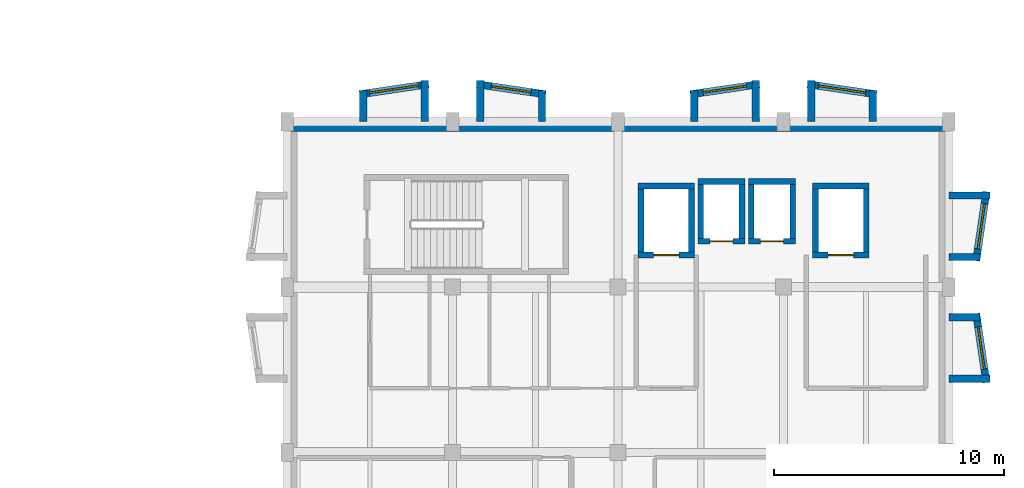
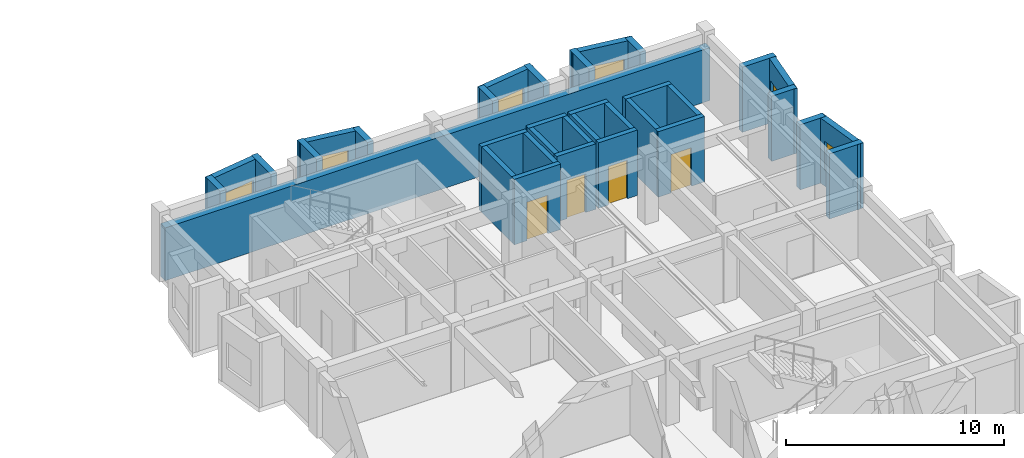
# One storey, part 15 of 20: 35 walls, 6 windows, 4 doors, 10 openings.
"""IFC4 building model written with IfcOpenShell, lengths in metres."""

from ifc_helpers import new_model, si_unit, direction, frame, frame_2d, origin, place, context, subcontext, project, spatial, rectangle, extrude, material, layer, layer_set, type_object, element, fill, save


model = new_model("IFC4")

# Units and contexts
model_context = context("Model", 3, precision=1e-05, world=origin(), true_north=direction((0.0, 1.0)))
body_context = subcontext(model_context, "Body", "Model", "MODEL_VIEW")
ifc_project = project(units=[si_unit("LENGTHUNIT", "METRE"), si_unit("AREAUNIT", "SQUARE_METRE"), si_unit("VOLUMEUNIT", "CUBIC_METRE"), si_unit("PLANEANGLEUNIT", "RADIAN"), si_unit("MASSUNIT", "GRAM", prefix="KILO")], contexts=[model_context])

# Site, building, storey
site_placement = place(None, origin())
site = spatial("IfcSite", under=ifc_project, at=site_placement, CompositionType="ELEMENT")
building_placement = place(site_placement, origin())
building = spatial("IfcBuilding", under=site, at=building_placement, Name="Bramveld Media Centre", CompositionType="ELEMENT")
storey_placement = place(building_placement, frame((0.0, 0.0, 18.0)))
storey = spatial("IfcBuildingStorey", under=building, at=storey_placement, Name="L04", CompositionType="ELEMENT", Elevation=18.0)

# Wall, opening, door
ifc_material_1 = material(Name="Concrete C40/50 stair & lift core wall", Category="concrete")
ifc_layer_1 = layer(ifc_material_1, 0.25)
ifc_layer_set_1 = layer_set([ifc_layer_1], Name="Concrete C40/50 stair & lift core wall")
wall_type_1 = type_object("IfcWallType", Name="CWALL-SHEAR-250", PredefinedType="SHEAR", material=ifc_layer_set_1)
wall_1_placement = place(storey_placement, frame((146.47509765625, 106.199951171875, 0.0), z_axis=(0.0, 0.0, 1.0), x_axis=(1.0, 0.0, 0.0)))
wall_1 = element("IfcWall", 1, at=wall_1_placement, inside=storey, type_object=wall_type_1, Name="FL-01 L04 lift shaft wall S", PredefinedType="SHEAR", context=body_context, shape_type="SweptSolid", body=[
    extrude(rectangle(XDim=2.449951171875, YDim=0.25, at=frame_2d((1.22509765625, 0.0))), origin(), (0.0, 0.0, 1.0), 3.659912109375),
])
opening_1_placement = place(wall_1_placement, frame((0.675048828125, 0.0, 0.0)))
opening_1 = element("IfcOpeningElement", 2, at=opening_1_placement, cuts=wall_1, Name="Opening LD-01-01-L04", PredefinedType="OPENING", context=body_context, shape_type="SweptSolid", body=[
    extrude(rectangle(XDim=1.10009765625, YDim=2.14990234375, at=frame_2d((0.550048828125, 1.074951171875))), frame((0.0, 0.136962890625, 0.0), z_axis=(0.0, -1.0, 0.0), x_axis=(1.0, 0.0, 0.0)), (0.0, 0.0, 1.0), 0.27392578125),
])
ifc_material_2 = material(Name="Brushed stainless steel automatic fire-rated sliding lift landing door", Category="steel")
door_type_1 = type_object("IfcDoorType", Name="LD-TYPE-01", OperationType="SLIDING_TO_LEFT", PredefinedType="DOOR", material=ifc_material_2)
door_1_placement = place(opening_1_placement, origin())
door_1 = element("IfcDoor", 3, at=door_1_placement, inside=storey, type_object=door_type_1, Name="FL-01 L04 sliding lift landing door", OperationType="SLIDING_TO_LEFT", OverallHeight=2.14990234375, OverallWidth=1.10009765625, PredefinedType="DOOR", context=body_context, shape_type="SweptSolid", body=[
    extrude(rectangle(XDim=1.10009765625, YDim=2.14990234375, at=frame_2d((0.550048828125, 1.074951171875))), frame((0.0, 0.02490234375, 0.0), z_axis=(0.0, -1.0, 0.0), x_axis=(1.0, 0.0, 0.0)), (0.0, 0.0, 1.0), 0.050048828125),
])
fill(opening_1, door_1)

# Walls
wall_2_placement = place(storey_placement, frame((148.925048828125, 109.199951171875, 0.0), z_axis=(0.0, 0.0, 1.0), x_axis=(-1.0, 0.0, 0.0)))
element("IfcWall", 4, at=wall_2_placement, inside=storey, type_object=wall_type_1, Name="FL-01 L04 lift shaft wall N", PredefinedType="SHEAR", context=body_context, shape_type="SweptSolid", body=[
    extrude(rectangle(XDim=2.449951171875, YDim=0.25, at=frame_2d((1.22509765625, 0.0))), origin(), (0.0, 0.0, 1.0), 3.659912109375),
])
for number, where, z_axis, x_axis, name in (
    (5, (146.60009765625, 109.199951171875, 0.0), (0.0, 0.0, 1.0), (0.0, -1.0, 0.0), "FL-01 L04 lift shaft wall W"),
    (6, (148.800048828125, 106.199951171875, 0.0), (0.0, 0.0, 1.0), (0.0, 1.0, 0.0), "FL-01 L04 lift shaft wall E"),
):
    element("IfcWall", number, at=place(storey_placement, frame(where, z_axis=z_axis, x_axis=x_axis)), inside=storey, type_object=wall_type_1, Name=name, PredefinedType="SHEAR", context=body_context, shape_type="SweptSolid", body=[
        extrude(rectangle(XDim=3.0, YDim=0.25, at=frame_2d((1.5, 0.0))), origin(), (0.0, 0.0, 1.0), 3.659912109375),
    ])

# Wall, opening, door
wall_3_placement = place(storey_placement, frame((154.074951171875, 106.199951171875, 0.0), z_axis=(0.0, 0.0, 1.0), x_axis=(1.0, 0.0, 0.0)))
wall_3 = element("IfcWall", 7, at=wall_3_placement, inside=storey, type_object=wall_type_1, Name="FL-02 L04 lift shaft wall S", PredefinedType="SHEAR", context=body_context, shape_type="SweptSolid", body=[
    extrude(rectangle(XDim=2.449951171875, YDim=0.25, at=frame_2d((1.22509765625, 0.0))), origin(), (0.0, 0.0, 1.0), 3.659912109375),
])
opening_2_placement = place(wall_3_placement, frame((0.675048828125, 0.0, 0.0)))
opening_2 = element("IfcOpeningElement", 8, at=opening_2_placement, cuts=wall_3, Name="Opening LD-01-02-L04", PredefinedType="OPENING", context=body_context, shape_type="SweptSolid", body=[
    extrude(rectangle(XDim=1.10009765625, YDim=2.14990234375, at=frame_2d((0.550048828125, 1.074951171875))), frame((0.0, 0.136962890625, 0.0), z_axis=(0.0, -1.0, 0.0), x_axis=(1.0, 0.0, 0.0)), (0.0, 0.0, 1.0), 0.27392578125),
])
door_2_placement = place(opening_2_placement, origin())
door_2 = element("IfcDoor", 9, at=door_2_placement, inside=storey, type_object=door_type_1, Name="FL-02 L04 sliding lift landing door", OperationType="SLIDING_TO_LEFT", OverallHeight=2.14990234375, OverallWidth=1.10009765625, PredefinedType="DOOR", context=body_context, shape_type="SweptSolid", body=[
    extrude(rectangle(XDim=1.10009765625, YDim=2.14990234375, at=frame_2d((0.550048828125, 1.074951171875))), frame((0.0, 0.02490234375, 0.0), z_axis=(0.0, -1.0, 0.0), x_axis=(1.0, 0.0, 0.0)), (0.0, 0.0, 1.0), 0.050048828125),
])
fill(opening_2, door_2)

# Walls
wall_4_placement = place(storey_placement, frame((156.52490234375, 109.199951171875, 0.0), z_axis=(0.0, 0.0, 1.0), x_axis=(-1.0, 0.0, 0.0)))
element("IfcWall", 10, at=wall_4_placement, inside=storey, type_object=wall_type_1, Name="FL-02 L04 lift shaft wall N", PredefinedType="SHEAR", context=body_context, shape_type="SweptSolid", body=[
    extrude(rectangle(XDim=2.449951171875, YDim=0.25, at=frame_2d((1.22509765625, 0.0))), origin(), (0.0, 0.0, 1.0), 3.659912109375),
])
for number, where, z_axis, x_axis, name in (
    (11, (154.199951171875, 109.199951171875, 0.0), (0.0, 0.0, 1.0), (0.0, -1.0, 0.0), "FL-02 L04 lift shaft wall W"),
    (12, (156.39990234375, 106.199951171875, 0.0), (0.0, 0.0, 1.0), (0.0, 1.0, 0.0), "FL-02 L04 lift shaft wall E"),
):
    element("IfcWall", number, at=place(storey_placement, frame(where, z_axis=z_axis, x_axis=x_axis)), inside=storey, type_object=wall_type_1, Name=name, PredefinedType="SHEAR", context=body_context, shape_type="SweptSolid", body=[
        extrude(rectangle(XDim=3.0, YDim=0.25, at=frame_2d((1.5, 0.0))), origin(), (0.0, 0.0, 1.0), 3.659912109375),
    ])

# Wall, opening, door
wall_5_placement = place(storey_placement, frame((149.074951171875, 106.800048828125, 0.0), z_axis=(0.0, 0.0, 1.0), x_axis=(1.0, 0.0, 0.0)))
wall_5 = element("IfcWall", 13, at=wall_5_placement, inside=storey, type_object=wall_type_1, Name="PL-01 L04 lift shaft wall S", PredefinedType="SHEAR", context=body_context, shape_type="SweptSolid", body=[
    extrude(rectangle(XDim=2.050048828125, YDim=0.25, at=frame_2d((1.02490234375, 0.0))), origin(), (0.0, 0.0, 1.0), 3.659912109375),
])
opening_3_placement = place(wall_5_placement, frame((0.52490234375, 0.0, 0.0)))
opening_3 = element("IfcOpeningElement", 14, at=opening_3_placement, cuts=wall_5, Name="Opening LD-02-01-L04", PredefinedType="OPENING", context=body_context, shape_type="SweptSolid", body=[
    extrude(rectangle(XDim=1.0, YDim=2.14990234375, at=frame_2d((0.5, 1.074951171875))), frame((0.0, 0.136962890625, 0.0), z_axis=(0.0, -1.0, 0.0), x_axis=(1.0, 0.0, 0.0)), (0.0, 0.0, 1.0), 0.27392578125),
])
ifc_material_3 = material(Name="Brushed stainless steel automatic fire-rated sliding lift landing door", Category="steel")
door_type_2 = type_object("IfcDoorType", Name="LD-TYPE-02", OperationType="SLIDING_TO_LEFT", PredefinedType="DOOR", material=ifc_material_3)
door_3_placement = place(opening_3_placement, origin())
door_3 = element("IfcDoor", 15, at=door_3_placement, inside=storey, type_object=door_type_2, Name="PL-01 L04 sliding lift landing door", OperationType="SLIDING_TO_LEFT", OverallHeight=2.14990234375, OverallWidth=1.0, PredefinedType="DOOR", context=body_context, shape_type="SweptSolid", body=[
    extrude(rectangle(XDim=1.0, YDim=2.14990234375, at=frame_2d((0.5, 1.074951171875))), frame((0.0, 0.02490234375, 0.0), z_axis=(0.0, -1.0, 0.0), x_axis=(1.0, 0.0, 0.0)), (0.0, 0.0, 1.0), 0.050048828125),
])
fill(opening_3, door_3)

# Walls
wall_6_placement = place(storey_placement, frame((151.125, 109.39990234375, 0.0), z_axis=(0.0, 0.0, 1.0), x_axis=(-1.0, 0.0, 0.0)))
element("IfcWall", 16, at=wall_6_placement, inside=storey, type_object=wall_type_1, Name="PL-01 L04 lift shaft wall N", PredefinedType="SHEAR", context=body_context, shape_type="SweptSolid", body=[
    extrude(rectangle(XDim=2.050048828125, YDim=0.25, at=frame_2d((1.02490234375, 0.0))), origin(), (0.0, 0.0, 1.0), 3.659912109375),
])
for number, where, z_axis, x_axis, name in (
    (17, (149.199951171875, 109.39990234375, 0.0), (0.0, 0.0, 1.0), (0.0, -1.0, 0.0), "PL-01 L04 lift shaft wall W"),
    (18, (151.0, 106.800048828125, 0.0), (0.0, 0.0, 1.0), (0.0, 1.0, 0.0), "PL-01 L04 lift shaft wall E"),
):
    element("IfcWall", number, at=place(storey_placement, frame(where, z_axis=z_axis, x_axis=x_axis)), inside=storey, type_object=wall_type_1, Name=name, PredefinedType="SHEAR", context=body_context, shape_type="SweptSolid", body=[
        extrude(rectangle(XDim=2.599853515625, YDim=0.25, at=frame_2d((1.2998046875, 0.0))), origin(), (0.0, 0.0, 1.0), 3.659912109375),
    ])

# Wall, opening, door
wall_7_placement = place(storey_placement, frame((151.27490234375, 106.800048828125, 0.0), z_axis=(0.0, 0.0, 1.0), x_axis=(1.0, 0.0, 0.0)))
wall_7 = element("IfcWall", 19, at=wall_7_placement, inside=storey, type_object=wall_type_1, Name="PL-02 L04 lift shaft wall S", PredefinedType="SHEAR", context=body_context, shape_type="SweptSolid", body=[
    extrude(rectangle(XDim=2.050048828125, YDim=0.25, at=frame_2d((1.02490234375, 0.0))), origin(), (0.0, 0.0, 1.0), 3.659912109375),
])
opening_4_placement = place(wall_7_placement, frame((0.52490234375, 0.0, 0.0)))
opening_4 = element("IfcOpeningElement", 20, at=opening_4_placement, cuts=wall_7, Name="Opening LD-02-02-L04", PredefinedType="OPENING", context=body_context, shape_type="SweptSolid", body=[
    extrude(rectangle(XDim=1.0, YDim=2.14990234375, at=frame_2d((0.5, 1.074951171875))), frame((0.0, 0.136962890625, 0.0), z_axis=(0.0, -1.0, 0.0), x_axis=(1.0, 0.0, 0.0)), (0.0, 0.0, 1.0), 0.27392578125),
])
door_4_placement = place(opening_4_placement, origin())
door_4 = element("IfcDoor", 21, at=door_4_placement, inside=storey, type_object=door_type_2, Name="PL-02 L04 sliding lift landing door", OperationType="SLIDING_TO_LEFT", OverallHeight=2.14990234375, OverallWidth=1.0, PredefinedType="DOOR", context=body_context, shape_type="SweptSolid", body=[
    extrude(rectangle(XDim=1.0, YDim=2.14990234375, at=frame_2d((0.5, 1.074951171875))), frame((0.0, 0.02490234375, 0.0), z_axis=(0.0, -1.0, 0.0), x_axis=(1.0, 0.0, 0.0)), (0.0, 0.0, 1.0), 0.050048828125),
])
fill(opening_4, door_4)

# Walls
wall_8_placement = place(storey_placement, frame((153.324951171875, 109.39990234375, 0.0), z_axis=(0.0, 0.0, 1.0), x_axis=(-1.0, 0.0, 0.0)))
element("IfcWall", 22, at=wall_8_placement, inside=storey, type_object=wall_type_1, Name="PL-02 L04 lift shaft wall N", PredefinedType="SHEAR", context=body_context, shape_type="SweptSolid", body=[
    extrude(rectangle(XDim=2.050048828125, YDim=0.25, at=frame_2d((1.02490234375, 0.0))), origin(), (0.0, 0.0, 1.0), 3.659912109375),
])
for number, where, z_axis, x_axis, name in (
    (23, (151.39990234375, 109.39990234375, 0.0), (0.0, 0.0, 1.0), (0.0, -1.0, 0.0), "PL-02 L04 lift shaft wall W"),
    (24, (153.199951171875, 106.800048828125, 0.0), (0.0, 0.0, 1.0), (0.0, 1.0, 0.0), "PL-02 L04 lift shaft wall E"),
):
    element("IfcWall", number, at=place(storey_placement, frame(where, z_axis=z_axis, x_axis=x_axis)), inside=storey, type_object=wall_type_1, Name=name, PredefinedType="SHEAR", context=body_context, shape_type="SweptSolid", body=[
        extrude(rectangle(XDim=2.599853515625, YDim=0.25, at=frame_2d((1.2998046875, 0.0))), origin(), (0.0, 0.0, 1.0), 3.659912109375),
    ])
ifc_material_4 = material(Name="Flemish red-brown clay facing brick cavity wall with concrete C35/45 inner leaf", Category="masonry")
ifc_layer_2 = layer(ifc_material_4, 0.419921875)
ifc_layer_set_2 = layer_set([ifc_layer_2], Name="Flemish red-brown clay facing brick cavity wall with concrete C35/45 inner leaf")
wall_type_2 = type_object("IfcWallType", Name="EW-BRK-420", PredefinedType="SOLIDWALL", material=ifc_layer_set_2)
wall_9_placement = place(storey_placement, frame((131.199951171875, 111.7900390625, 0.0), z_axis=(0.0, 0.0, 1.0), x_axis=(1.0, 0.0, 0.0)))
element("IfcWall", 25, at=wall_9_placement, inside=storey, type_object=wall_type_2, Name="V7 L04 N facing brick exterior wall", PredefinedType="SOLIDWALL", context=body_context, shape_type="SweptSolid", body=[
    extrude(rectangle(XDim=28.800048828125, YDim=0.419921875, at=frame_2d((14.39990234375, 0.0))), origin(), (0.0, 0.0, 1.0), 2.955078125),
])

# Wall, opening, window
ifc_material_5 = material(Name="Precast concrete C40/50 & brick-slip faceted bay cheek wall", Category="masonry")
ifc_layer_3 = layer(ifc_material_5, 0.320068359375)
ifc_layer_set_3 = layer_set([ifc_layer_3], Name="Precast concrete C40/50 & brick-slip faceted bay cheek wall")
wall_type_3 = type_object("IfcWallType", Name="EW-FACET-320", PredefinedType="SOLIDWALL", material=ifc_layer_set_3)
wall_10_placement = place(storey_placement, frame((161.633056640625, 100.64990234375, 0.0), z_axis=(0.0, 0.0, 1.0), x_axis=(-0.146119746268, 0.989266910268, 0.0)))
wall_10 = element("IfcWall", 26, at=wall_10_placement, inside=storey, type_object=wall_type_3, Name="V7 L04 E angled faceted bay front wall 3", PredefinedType="SOLIDWALL", context=body_context, shape_type="SweptSolid", body=[
    extrude(rectangle(XDim=3.032470703125, YDim=0.320068359375, at=frame_2d((1.51611328125, 0.0))), origin(), (0.0, 0.0, 1.0), 3.639892578125),
])
opening_5_placement = place(wall_10_placement, frame((0.59130859375, 0.0, 0.89990234375)))
opening_5 = element("IfcOpeningElement", 27, at=opening_5_placement, cuts=wall_10, Name="Opening W-30", PredefinedType="OPENING", context=body_context, shape_type="SweptSolid", body=[
    extrude(rectangle(XDim=1.85009765625, YDim=1.60009765625, at=frame_2d((0.925048828125, 0.800048828125))), frame((0.0, 0.171875, 0.0), z_axis=(0.0, -1.0, 0.0), x_axis=(1.0, 0.0, 0.0)), (0.0, 0.0, 1.0), 0.343994140625),
])
ifc_material_6 = material(Name="Thermally broken anodized bronze aluminium frame with triple acoustic glazing", Category="aluminium")
window_type_1 = type_object("IfcWindowType", Name="WIN-FAC-30", PartitioningType="SINGLE_PANEL", PredefinedType="WINDOW", material=ifc_material_6)
window_1_placement = place(opening_5_placement, origin())
window_1 = element("IfcWindow", 28, at=window_1_placement, inside=storey, type_object=window_type_1, Name="V7 L04 E faceted bay window 3", OverallHeight=1.60009765625, OverallWidth=1.85009765625, PartitioningType="SINGLE_PANEL", PredefinedType="WINDOW", context=body_context, shape_type="SweptSolid", body=[
    extrude(rectangle(XDim=1.85009765625, YDim=1.60009765625, at=frame_2d((0.925048828125, 0.800048828125))), frame((0.0, 0.030029296875, 0.0), z_axis=(0.0, -1.0, 0.0), x_axis=(1.0, 0.0, 0.0)), (0.0, 0.0, 1.0), 0.06005859375),
])
fill(opening_5, window_1)

# Walls
wall_11_placement = place(storey_placement, frame((160.0, 100.81005859375, 0.0), z_axis=(0.0, 0.0, 1.0), x_axis=(1.0, 0.0, 0.0)))
element("IfcWall", 29, at=wall_11_placement, inside=storey, type_object=wall_type_3, Name="V7 L04 E faceted bay cheek wall", PredefinedType="SOLIDWALL", context=body_context, shape_type="SweptSolid", body=[
    extrude(rectangle(XDim=1.79296875, YDim=0.320068359375, at=frame_2d((0.896484375, 0.0))), origin(), (0.0, 0.0, 1.0), 3.639892578125),
])
wall_12_placement = place(storey_placement, frame((160.0, 103.489990234375, 0.0), z_axis=(0.0, 0.0, 1.0), x_axis=(1.0, 0.0, 0.0)))
element("IfcWall", 30, at=wall_12_placement, inside=storey, type_object=wall_type_3, Name="V7 L04 E faceted bay cheek wall", PredefinedType="SOLIDWALL", context=body_context, shape_type="SweptSolid", body=[
    extrude(rectangle(XDim=1.35009765625, YDim=0.320068359375, at=frame_2d((0.675048828125, 0.0))), origin(), (0.0, 0.0, 1.0), 3.639892578125),
])

# Wall, opening, window
wall_13_placement = place(storey_placement, frame((161.18994140625, 105.949951171875, 0.0), z_axis=(0.0, 0.0, 1.0), x_axis=(0.146119746268, 0.989266910268, 0.0)))
wall_13 = element("IfcWall", 31, at=wall_13_placement, inside=storey, type_object=wall_type_3, Name="V7 L04 E angled faceted bay front wall 4", PredefinedType="SOLIDWALL", context=body_context, shape_type="SweptSolid", body=[
    extrude(rectangle(XDim=3.032470703125, YDim=0.320068359375, at=frame_2d((1.51611328125, 0.0))), origin(), (0.0, 0.0, 1.0), 3.639892578125),
])
opening_6_placement = place(wall_13_placement, frame((0.516357421875, 0.0, 0.89990234375)))
opening_6 = element("IfcOpeningElement", 32, at=opening_6_placement, cuts=wall_13, Name="Opening W-31", PredefinedType="OPENING", context=body_context, shape_type="SweptSolid", body=[
    extrude(rectangle(XDim=2.0, YDim=1.60009765625, at=frame_2d((1.0, 0.800048828125))), frame((0.0, 0.171875, 0.0), z_axis=(0.0, -1.0, 0.0), x_axis=(1.0, 0.0, 0.0)), (0.0, 0.0, 1.0), 0.343994140625),
])
ifc_material_7 = material(Name="Thermally broken anodized bronze aluminium frame with triple acoustic glazing", Category="aluminium")
window_type_2 = type_object("IfcWindowType", Name="WIN-FAC-31", PartitioningType="SINGLE_PANEL", PredefinedType="WINDOW", material=ifc_material_7)
window_2_placement = place(opening_6_placement, origin())
window_2 = element("IfcWindow", 33, at=window_2_placement, inside=storey, type_object=window_type_2, Name="V7 L04 E faceted bay window 4", OverallHeight=1.60009765625, OverallWidth=2.0, PartitioningType="SINGLE_PANEL", PredefinedType="WINDOW", context=body_context, shape_type="SweptSolid", body=[
    extrude(rectangle(XDim=2.0, YDim=1.60009765625, at=frame_2d((1.0, 0.800048828125))), frame((0.0, 0.030029296875, 0.0), z_axis=(0.0, -1.0, 0.0), x_axis=(1.0, 0.0, 0.0)), (0.0, 0.0, 1.0), 0.06005859375),
])
fill(opening_6, window_2)

# Walls
wall_14_placement = place(storey_placement, frame((160.0, 106.110107421875, 0.0), z_axis=(0.0, 0.0, 1.0), x_axis=(1.0, 0.0, 0.0)))
element("IfcWall", 34, at=wall_14_placement, inside=storey, type_object=wall_type_3, Name="V7 L04 E faceted bay cheek wall", PredefinedType="SOLIDWALL", context=body_context, shape_type="SweptSolid", body=[
    extrude(rectangle(XDim=1.35009765625, YDim=0.320068359375, at=frame_2d((0.675048828125, 0.0))), origin(), (0.0, 0.0, 1.0), 3.639892578125),
])
wall_15_placement = place(storey_placement, frame((160.0, 108.7900390625, 0.0), z_axis=(0.0, 0.0, 1.0), x_axis=(1.0, 0.0, 0.0)))
element("IfcWall", 35, at=wall_15_placement, inside=storey, type_object=wall_type_3, Name="V7 L04 E faceted bay cheek wall", PredefinedType="SOLIDWALL", context=body_context, shape_type="SweptSolid", body=[
    extrude(rectangle(XDim=1.79296875, YDim=0.320068359375, at=frame_2d((0.896484375, 0.0))), origin(), (0.0, 0.0, 1.0), 3.639892578125),
])

# Wall, opening, window
wall_16_placement = place(storey_placement, frame((137.35009765625, 113.633056640625, 0.0), z_axis=(0.0, 0.0, 1.0), x_axis=(-0.989266910268, -0.146119746268, 0.0)))
wall_16 = element("IfcWall", 36, at=wall_16_placement, inside=storey, type_object=wall_type_3, Name="V7 L04 N angled faceted bay front wall 1", PredefinedType="SOLIDWALL", context=body_context, shape_type="SweptSolid", body=[
    extrude(rectangle(XDim=3.032470703125, YDim=0.320068359375, at=frame_2d((1.51611328125, 0.0))), origin(), (0.0, 0.0, 1.0), 3.639892578125),
])
opening_7_placement = place(wall_16_placement, frame((0.44140625, 0.0, 0.89990234375)))
opening_7 = element("IfcOpeningElement", 37, at=opening_7_placement, cuts=wall_16, Name="Opening W-32", PredefinedType="OPENING", context=body_context, shape_type="SweptSolid", body=[
    extrude(rectangle(XDim=2.14990234375, YDim=1.60009765625, at=frame_2d((1.074951171875, 0.800048828125))), frame((0.0, 0.171875, 0.0), z_axis=(0.0, -1.0, 0.0), x_axis=(1.0, 0.0, 0.0)), (0.0, 0.0, 1.0), 0.343994140625),
])
ifc_material_8 = material(Name="Thermally broken anodized bronze aluminium frame with triple acoustic glazing", Category="aluminium")
window_type_3 = type_object("IfcWindowType", Name="WIN-FAC-32", PartitioningType="SINGLE_PANEL", PredefinedType="WINDOW", material=ifc_material_8)
window_3_placement = place(opening_7_placement, origin())
window_3 = element("IfcWindow", 38, at=window_3_placement, inside=storey, type_object=window_type_3, Name="V7 L04 N faceted bay window 1", OverallHeight=1.60009765625, OverallWidth=2.14990234375, PartitioningType="SINGLE_PANEL", PredefinedType="WINDOW", context=body_context, shape_type="SweptSolid", body=[
    extrude(rectangle(XDim=2.14990234375, YDim=1.60009765625, at=frame_2d((1.074951171875, 0.800048828125))), frame((0.0, 0.030029296875, 0.0), z_axis=(0.0, -1.0, 0.0), x_axis=(1.0, 0.0, 0.0)), (0.0, 0.0, 1.0), 0.06005859375),
])
fill(opening_7, window_3)

# Walls
wall_17_placement = place(storey_placement, frame((134.510009765625, 112.0, 0.0), z_axis=(0.0, 0.0, 1.0), x_axis=(0.0, 1.0, 0.0)))
element("IfcWall", 39, at=wall_17_placement, inside=storey, type_object=wall_type_3, Name="V7 L04 N faceted bay cheek wall", PredefinedType="SOLIDWALL", context=body_context, shape_type="SweptSolid", body=[
    extrude(rectangle(XDim=1.35009765625, YDim=0.320068359375, at=frame_2d((0.675048828125, 0.0))), origin(), (0.0, 0.0, 1.0), 3.639892578125),
])
wall_18_placement = place(storey_placement, frame((137.18994140625, 112.0, 0.0), z_axis=(0.0, 0.0, 1.0), x_axis=(0.0, 1.0, 0.0)))
element("IfcWall", 40, at=wall_18_placement, inside=storey, type_object=wall_type_3, Name="V7 L04 N faceted bay cheek wall", PredefinedType="SOLIDWALL", context=body_context, shape_type="SweptSolid", body=[
    extrude(rectangle(XDim=1.79296875, YDim=0.320068359375, at=frame_2d((0.896484375, 0.0))), origin(), (0.0, 0.0, 1.0), 3.639892578125),
])

# Wall, opening, window
wall_19_placement = place(storey_placement, frame((142.449951171875, 113.18994140625, 0.0), z_axis=(0.0, 0.0, 1.0), x_axis=(-0.989266910268, 0.146119746268, 0.0)))
wall_19 = element("IfcWall", 41, at=wall_19_placement, inside=storey, type_object=wall_type_3, Name="V7 L04 N angled faceted bay front wall 2", PredefinedType="SOLIDWALL", context=body_context, shape_type="SweptSolid", body=[
    extrude(rectangle(XDim=3.032470703125, YDim=0.320068359375, at=frame_2d((1.51611328125, 0.0))), origin(), (0.0, 0.0, 1.0), 3.639892578125),
])
opening_8_placement = place(wall_19_placement, frame((0.641357421875, 0.0, 0.89990234375)))
opening_8 = element("IfcOpeningElement", 42, at=opening_8_placement, cuts=wall_19, Name="Opening W-33", PredefinedType="OPENING", context=body_context, shape_type="SweptSolid", body=[
    extrude(rectangle(XDim=1.75, YDim=1.75, at=frame_2d((0.875, 0.875))), frame((0.0, 0.171875, 0.0), z_axis=(0.0, -1.0, 0.0), x_axis=(1.0, 0.0, 0.0)), (0.0, 0.0, 1.0), 0.343994140625),
])
ifc_material_9 = material(Name="Thermally broken anodized bronze aluminium frame with triple acoustic glazing", Category="aluminium")
window_type_4 = type_object("IfcWindowType", Name="WIN-FAC-33", PartitioningType="SINGLE_PANEL", PredefinedType="WINDOW", material=ifc_material_9)
window_4_placement = place(opening_8_placement, origin())
window_4 = element("IfcWindow", 43, at=window_4_placement, inside=storey, type_object=window_type_4, Name="V7 L04 N faceted bay window 2", OverallHeight=1.75, OverallWidth=1.75, PartitioningType="SINGLE_PANEL", PredefinedType="WINDOW", context=body_context, shape_type="SweptSolid", body=[
    extrude(rectangle(XDim=1.75, YDim=1.75, at=frame_2d((0.875, 0.875))), frame((0.0, 0.030029296875, 0.0), z_axis=(0.0, -1.0, 0.0), x_axis=(1.0, 0.0, 0.0)), (0.0, 0.0, 1.0), 0.06005859375),
])
fill(opening_8, window_4)

# Walls
wall_20_placement = place(storey_placement, frame((139.610107421875, 112.0, 0.0), z_axis=(0.0, 0.0, 1.0), x_axis=(0.0, 1.0, 0.0)))
element("IfcWall", 44, at=wall_20_placement, inside=storey, type_object=wall_type_3, Name="V7 L04 N faceted bay cheek wall", PredefinedType="SOLIDWALL", context=body_context, shape_type="SweptSolid", body=[
    extrude(rectangle(XDim=1.79296875, YDim=0.320068359375, at=frame_2d((0.896484375, 0.0))), origin(), (0.0, 0.0, 1.0), 3.639892578125),
])
wall_21_placement = place(storey_placement, frame((142.2900390625, 112.0, 0.0), z_axis=(0.0, 0.0, 1.0), x_axis=(0.0, 1.0, 0.0)))
element("IfcWall", 45, at=wall_21_placement, inside=storey, type_object=wall_type_3, Name="V7 L04 N faceted bay cheek wall", PredefinedType="SOLIDWALL", context=body_context, shape_type="SweptSolid", body=[
    extrude(rectangle(XDim=1.35009765625, YDim=0.320068359375, at=frame_2d((0.675048828125, 0.0))), origin(), (0.0, 0.0, 1.0), 3.639892578125),
])

# Wall, opening, window
wall_22_placement = place(storey_placement, frame((151.75, 113.633056640625, 0.0), z_axis=(0.0, 0.0, 1.0), x_axis=(-0.989266910268, -0.146119746268, 0.0)))
wall_22 = element("IfcWall", 46, at=wall_22_placement, inside=storey, type_object=wall_type_3, Name="V7 L04 N angled faceted bay front wall 3", PredefinedType="SOLIDWALL", context=body_context, shape_type="SweptSolid", body=[
    extrude(rectangle(XDim=3.032470703125, YDim=0.320068359375, at=frame_2d((1.51611328125, 0.0))), origin(), (0.0, 0.0, 1.0), 3.639892578125),
])
opening_9_placement = place(wall_22_placement, frame((0.56640625, 0.0, 0.89990234375)))
opening_9 = element("IfcOpeningElement", 47, at=opening_9_placement, cuts=wall_22, Name="Opening W-34", PredefinedType="OPENING", context=body_context, shape_type="SweptSolid", body=[
    extrude(rectangle(XDim=1.89990234375, YDim=1.75, at=frame_2d((0.949951171875, 0.875))), frame((0.0, 0.171875, 0.0), z_axis=(0.0, -1.0, 0.0), x_axis=(1.0, 0.0, 0.0)), (0.0, 0.0, 1.0), 0.343994140625),
])
ifc_material_10 = material(Name="Thermally broken anodized bronze aluminium frame with triple acoustic glazing", Category="aluminium")
window_type_5 = type_object("IfcWindowType", Name="WIN-FAC-34", PartitioningType="SINGLE_PANEL", PredefinedType="WINDOW", material=ifc_material_10)
window_5_placement = place(opening_9_placement, origin())
window_5 = element("IfcWindow", 48, at=window_5_placement, inside=storey, type_object=window_type_5, Name="V7 L04 N faceted bay window 3", OverallHeight=1.75, OverallWidth=1.89990234375, PartitioningType="SINGLE_PANEL", PredefinedType="WINDOW", context=body_context, shape_type="SweptSolid", body=[
    extrude(rectangle(XDim=1.89990234375, YDim=1.75, at=frame_2d((0.949951171875, 0.875))), frame((0.0, 0.030029296875, 0.0), z_axis=(0.0, -1.0, 0.0), x_axis=(1.0, 0.0, 0.0)), (0.0, 0.0, 1.0), 0.06005859375),
])
fill(opening_9, window_5)

# Walls
wall_23_placement = place(storey_placement, frame((148.909912109375, 112.0, 0.0), z_axis=(0.0, 0.0, 1.0), x_axis=(0.0, 1.0, 0.0)))
element("IfcWall", 49, at=wall_23_placement, inside=storey, type_object=wall_type_3, Name="V7 L04 N faceted bay cheek wall", PredefinedType="SOLIDWALL", context=body_context, shape_type="SweptSolid", body=[
    extrude(rectangle(XDim=1.35009765625, YDim=0.320068359375, at=frame_2d((0.675048828125, 0.0))), origin(), (0.0, 0.0, 1.0), 3.639892578125),
])
wall_24_placement = place(storey_placement, frame((151.590087890625, 112.0, 0.0), z_axis=(0.0, 0.0, 1.0), x_axis=(0.0, 1.0, 0.0)))
element("IfcWall", 50, at=wall_24_placement, inside=storey, type_object=wall_type_3, Name="V7 L04 N faceted bay cheek wall", PredefinedType="SOLIDWALL", context=body_context, shape_type="SweptSolid", body=[
    extrude(rectangle(XDim=1.79296875, YDim=0.320068359375, at=frame_2d((0.896484375, 0.0))), origin(), (0.0, 0.0, 1.0), 3.639892578125),
])

# Wall, opening, window
wall_25_placement = place(storey_placement, frame((156.85009765625, 113.18994140625, 0.0), z_axis=(0.0, 0.0, 1.0), x_axis=(-0.989266910268, 0.146119746268, 0.0)))
wall_25 = element("IfcWall", 51, at=wall_25_placement, inside=storey, type_object=wall_type_3, Name="V7 L04 N angled faceted bay front wall 4", PredefinedType="SOLIDWALL", context=body_context, shape_type="SweptSolid", body=[
    extrude(rectangle(XDim=3.032470703125, YDim=0.320068359375, at=frame_2d((1.51611328125, 0.0))), origin(), (0.0, 0.0, 1.0), 3.639892578125),
])
opening_10_placement = place(wall_25_placement, frame((0.476318359375, 0.0, 0.89990234375)))
opening_10 = element("IfcOpeningElement", 52, at=opening_10_placement, cuts=wall_25, Name="Opening W-35", PredefinedType="OPENING", context=body_context, shape_type="SweptSolid", body=[
    extrude(rectangle(XDim=2.080078125, YDim=1.75, at=frame_2d((1.0400390625, 0.875))), frame((0.0, 0.171875, 0.0), z_axis=(0.0, -1.0, 0.0), x_axis=(1.0, 0.0, 0.0)), (0.0, 0.0, 1.0), 0.343994140625),
])
ifc_material_11 = material(Name="Thermally broken anodized bronze aluminium frame with triple acoustic glazing", Category="aluminium")
window_type_6 = type_object("IfcWindowType", Name="WIN-FAC-35", PartitioningType="SINGLE_PANEL", PredefinedType="WINDOW", material=ifc_material_11)
window_6_placement = place(opening_10_placement, origin())
window_6 = element("IfcWindow", 53, at=window_6_placement, inside=storey, type_object=window_type_6, Name="V7 L04 N faceted bay window 4", OverallHeight=1.75, OverallWidth=2.080078125, PartitioningType="SINGLE_PANEL", PredefinedType="WINDOW", context=body_context, shape_type="SweptSolid", body=[
    extrude(rectangle(XDim=2.080078125, YDim=1.75, at=frame_2d((1.0400390625, 0.875))), frame((0.0, 0.030029296875, 0.0), z_axis=(0.0, -1.0, 0.0), x_axis=(1.0, 0.0, 0.0)), (0.0, 0.0, 1.0), 0.06005859375),
])
fill(opening_10, window_6)

# Walls
wall_26_placement = place(storey_placement, frame((154.010009765625, 112.0, 0.0), z_axis=(0.0, 0.0, 1.0), x_axis=(0.0, 1.0, 0.0)))
element("IfcWall", 54, at=wall_26_placement, inside=storey, type_object=wall_type_3, Name="V7 L04 N faceted bay cheek wall", PredefinedType="SOLIDWALL", context=body_context, shape_type="SweptSolid", body=[
    extrude(rectangle(XDim=1.79296875, YDim=0.320068359375, at=frame_2d((0.896484375, 0.0))), origin(), (0.0, 0.0, 1.0), 3.639892578125),
])
wall_27_placement = place(storey_placement, frame((156.68994140625, 112.0, 0.0), z_axis=(0.0, 0.0, 1.0), x_axis=(0.0, 1.0, 0.0)))
element("IfcWall", 55, at=wall_27_placement, inside=storey, type_object=wall_type_3, Name="V7 L04 N faceted bay cheek wall", PredefinedType="SOLIDWALL", context=body_context, shape_type="SweptSolid", body=[
    extrude(rectangle(XDim=1.35009765625, YDim=0.320068359375, at=frame_2d((0.675048828125, 0.0))), origin(), (0.0, 0.0, 1.0), 3.639892578125),
])

save(model, "model.ifc")
